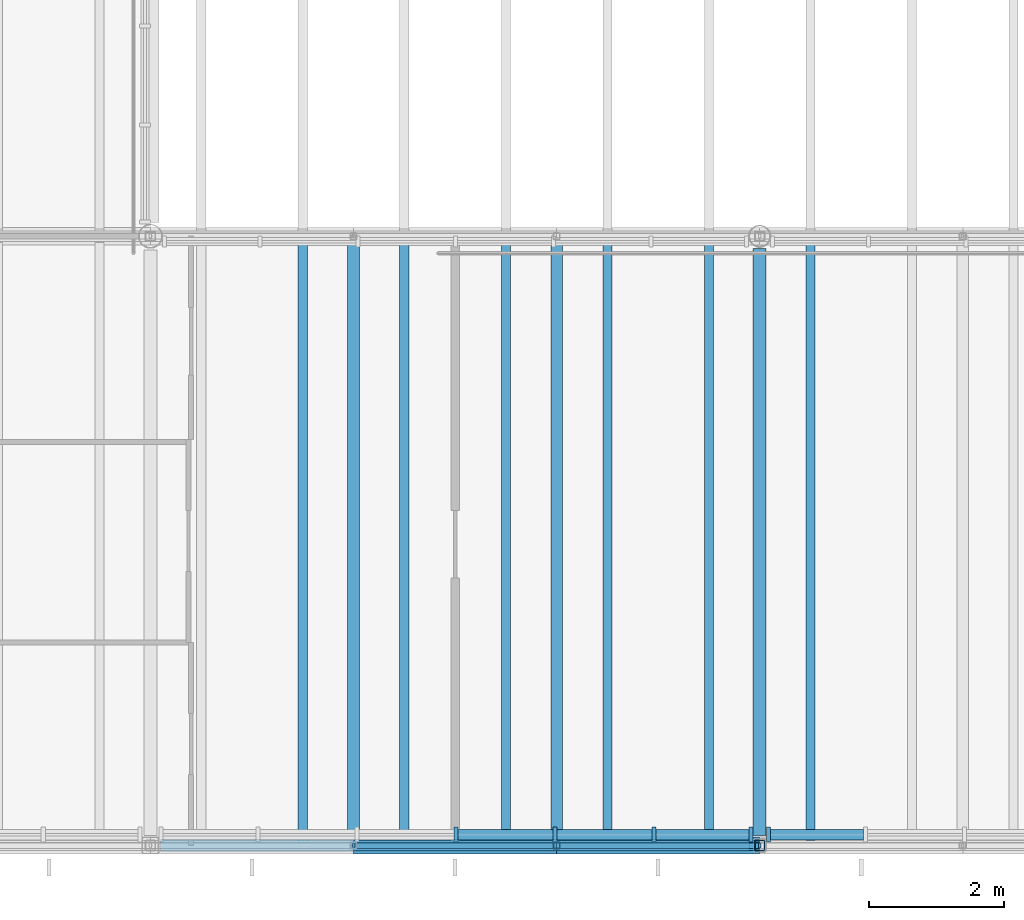
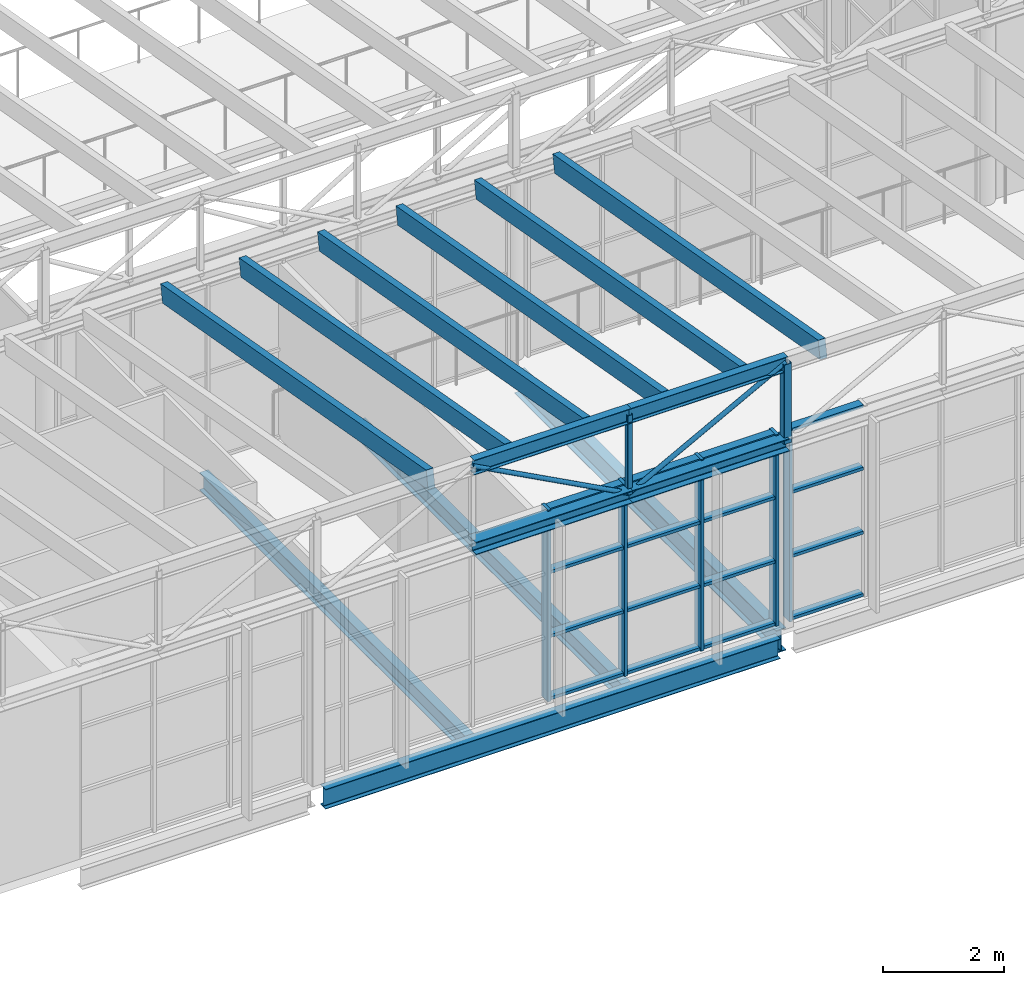
# One storey, part 7 of 44: 35 members, 4 beams, 2 elements without a shape of their own.
"""IFC4 building model written with IfcOpenShell, lengths in metres."""

from ifc_helpers import new_model, si_unit, direction, frame, origin, origin_2d, place, context, subcontext, project, spatial, rectangle, hollow_rectangle, hollow_circle, i_section, extrude, material, layer, layer_set, material_profile, profile_set, type_object, element, aggregate, save


model = new_model("IFC4")

# Units and contexts
model_context = context("Model", 3, precision=1e-05, world=origin(), true_north=direction((0.0, 1.0)))
body_context = subcontext(model_context, "Body", "Model", "MODEL_VIEW")
ifc_project = project(units=[si_unit("LENGTHUNIT", "METRE"), si_unit("AREAUNIT", "SQUARE_METRE"), si_unit("VOLUMEUNIT", "CUBIC_METRE"), si_unit("PLANEANGLEUNIT", "RADIAN"), si_unit("MASSUNIT", "GRAM", prefix="KILO")], contexts=[model_context])

# Site, building, storey
site_placement = place(None, origin())
site = spatial("IfcSite", under=ifc_project, at=site_placement, CompositionType="ELEMENT")
building_placement = place(site_placement, origin())
building = spatial("IfcBuilding", under=site, at=building_placement, Name="Halyard Row Museum", CompositionType="ELEMENT")
storey_placement = place(building_placement, frame((0.0, 0.0, 21.199951171875)))
storey = spatial("IfcBuildingStorey", under=building, at=storey_placement, Name="L04", CompositionType="ELEMENT", Elevation=21.199951171875)

# Curtain wall, members
ifc_material_1 = material(Name="Double glazed unit, low-emissivity", Category="glass")
ifc_layer = layer(ifc_material_1, 0.219970703125)
ifc_layer_set = layer_set([ifc_layer], Name="Double glazed unit, low-emissivity")
curtain_wall_type = type_object("IfcCurtainWallType", Name="Curtain wall unitised 220 deep", PredefinedType="NOTDEFINED", material=ifc_layer_set)
curtain_wall_1_placement = place(storey_placement, origin())
curtain_wall_1 = element("IfcCurtainWall", 1, at=curtain_wall_1_placement, inside=storey, type_object=curtain_wall_type, Name="Curtain wall CW056", PredefinedType="NOTDEFINED")
ifc_material_2 = material(Name="Powder-coated aluminium section", Category="aluminium")
ifc_material_profile_1 = material_profile(ifc_material_2, rectangle(XDim=0.219970703125, YDim=0.06005859375, at=origin_2d()), Name="220x60 mullion")
ifc_profile_set_1 = profile_set([ifc_material_profile_1], Name="Powder-coated aluminium section")
member_type_1 = type_object("IfcMemberType", Name="Curtain wall mullion CM3 60 x 220", PredefinedType="MULLION", material=ifc_profile_set_1)
member_1_placement = place(storey_placement, frame((85.512451171875, 0.159912109375, 0.0), z_axis=(0.0, 0.0, 1.0), x_axis=(0.0, 1.0, 0.0)))
member_1 = element("IfcMember", 2, at=member_1_placement, type_object=member_type_1, Name="CW056 mullion 4", PredefinedType="MULLION", context=body_context, shape_type="SweptSolid", body=[
    extrude(rectangle(XDim=0.219970703125, YDim=0.06005859375, at=origin_2d()), origin(), (0.0, 0.0, 1.0), 3.878173828125),
])
member_2_placement = place(storey_placement, frame((86.97509765625, 0.159912109375, 0.0), z_axis=(0.0, 0.0, 1.0), x_axis=(0.0, 1.0, 0.0)))
member_2 = element("IfcMember", 3, at=member_2_placement, type_object=member_type_1, Name="CW056 mullion 5", PredefinedType="MULLION", context=body_context, shape_type="SweptSolid", body=[
    extrude(rectangle(XDim=0.219970703125, YDim=0.06005859375, at=origin_2d()), origin(), (0.0, 0.0, 1.0), 3.878173828125),
])
member_3_placement = place(storey_placement, frame((88.4375, 0.159912109375, 0.0), z_axis=(0.0, 0.0, 1.0), x_axis=(0.0, 1.0, 0.0)))
member_3 = element("IfcMember", 4, at=member_3_placement, type_object=member_type_1, Name="CW056 mullion 6", PredefinedType="MULLION", context=body_context, shape_type="SweptSolid", body=[
    extrude(rectangle(XDim=0.219970703125, YDim=0.06005859375, at=origin_2d()), origin(), (0.0, 0.0, 1.0), 3.878173828125),
])
member_4_placement = place(storey_placement, frame((89.8701171875, 0.159912109375, 0.0), z_axis=(0.0, 0.0, 1.0), x_axis=(0.0, 1.0, 0.0)))
member_4 = element("IfcMember", 5, at=member_4_placement, type_object=member_type_1, Name="CW056 mullion 7", PredefinedType="MULLION", context=body_context, shape_type="SweptSolid", body=[
    extrude(rectangle(XDim=0.219970703125, YDim=0.06005859375, at=origin_2d()), origin(), (0.0, 0.0, 1.0), 3.878173828125),
])

# Curtain wall, member
curtain_wall_2_placement = place(storey_placement, origin())
curtain_wall_2 = element("IfcCurtainWall", 6, at=curtain_wall_2_placement, inside=storey, type_object=curtain_wall_type, Name="Curtain wall CW057", PredefinedType="NOTDEFINED")
member_5_placement = place(storey_placement, frame((90.1298828125, 0.159912109375, 0.0), z_axis=(0.0, 0.0, 1.0), x_axis=(0.0, 1.0, 0.0)))
member_5 = element("IfcMember", 7, at=member_5_placement, type_object=member_type_1, Name="CW057 mullion 1", PredefinedType="MULLION", context=body_context, shape_type="SweptSolid", body=[
    extrude(rectangle(XDim=0.219970703125, YDim=0.06005859375, at=origin_2d()), origin(), (0.0, 0.0, 1.0), 3.878173828125),
])

# Member
ifc_material_3 = material(Name="Powder-coated aluminium section", Category="aluminium")
ifc_material_profile_2 = material_profile(ifc_material_3, rectangle(XDim=0.159912109375, YDim=0.06005859375, at=origin_2d()), Name="160x60 transom")
ifc_profile_set_2 = profile_set([ifc_material_profile_2], Name="Powder-coated aluminium section")
member_type_2 = type_object("IfcMemberType", Name="Curtain wall transom CT3 60 x 160", PredefinedType="USERDEFINED", material=ifc_profile_set_2)
member_6_placement = place(storey_placement, frame((85.54248046875, 0.159912109375, 0.030029296875), z_axis=(1.0, 0.0, 0.0), x_axis=(0.0, 1.0, 0.0)))
member_6 = element("IfcMember", 8, at=member_6_placement, type_object=member_type_2, Name="CW056 transom 4.1", ObjectType="TRANSOM", PredefinedType="USERDEFINED", context=body_context, shape_type="SweptSolid", body=[
    extrude(rectangle(XDim=0.159912109375, YDim=0.06005859375, at=origin_2d()), origin(), (0.0, 0.0, 1.0), 1.402587890625),
])

member_7_placement = place(storey_placement, frame((85.54248046875, 0.159912109375, 1.292724609375), z_axis=(1.0, 0.0, 0.0), x_axis=(0.0, 1.0, 0.0)))
member_7 = element("IfcMember", 9, at=member_7_placement, type_object=member_type_2, Name="CW056 transom 4.2", ObjectType="TRANSOM", PredefinedType="USERDEFINED", context=body_context, shape_type="SweptSolid", body=[
    extrude(rectangle(XDim=0.159912109375, YDim=0.06005859375, at=origin_2d()), origin(), (0.0, 0.0, 1.0), 1.402587890625),
])

member_8_placement = place(storey_placement, frame((85.54248046875, 0.159912109375, 2.58544921875), z_axis=(1.0, 0.0, 0.0), x_axis=(0.0, 1.0, 0.0)))
member_8 = element("IfcMember", 10, at=member_8_placement, type_object=member_type_2, Name="CW056 transom 4.3", ObjectType="TRANSOM", PredefinedType="USERDEFINED", context=body_context, shape_type="SweptSolid", body=[
    extrude(rectangle(XDim=0.159912109375, YDim=0.06005859375, at=origin_2d()), origin(), (0.0, 0.0, 1.0), 1.402587890625),
])

member_9_placement = place(storey_placement, frame((85.54248046875, 0.159912109375, 3.84814453125), z_axis=(1.0, 0.0, 0.0), x_axis=(0.0, 1.0, 0.0)))
member_9 = element("IfcMember", 11, at=member_9_placement, type_object=member_type_2, Name="CW056 transom 4.4", ObjectType="TRANSOM", PredefinedType="USERDEFINED", context=body_context, shape_type="SweptSolid", body=[
    extrude(rectangle(XDim=0.159912109375, YDim=0.06005859375, at=origin_2d()), origin(), (0.0, 0.0, 1.0), 1.402587890625),
])

member_10_placement = place(storey_placement, frame((87.0048828125, 0.159912109375, 0.030029296875), z_axis=(1.0, 0.0, 0.0), x_axis=(0.0, 1.0, 0.0)))
member_10 = element("IfcMember", 12, at=member_10_placement, type_object=member_type_2, Name="CW056 transom 5.1", ObjectType="TRANSOM", PredefinedType="USERDEFINED", context=body_context, shape_type="SweptSolid", body=[
    extrude(rectangle(XDim=0.159912109375, YDim=0.06005859375, at=origin_2d()), origin(), (0.0, 0.0, 1.0), 1.402587890625),
])

member_11_placement = place(storey_placement, frame((87.0048828125, 0.159912109375, 1.292724609375), z_axis=(1.0, 0.0, 0.0), x_axis=(0.0, 1.0, 0.0)))
member_11 = element("IfcMember", 13, at=member_11_placement, type_object=member_type_2, Name="CW056 transom 5.2", ObjectType="TRANSOM", PredefinedType="USERDEFINED", context=body_context, shape_type="SweptSolid", body=[
    extrude(rectangle(XDim=0.159912109375, YDim=0.06005859375, at=origin_2d()), origin(), (0.0, 0.0, 1.0), 1.402587890625),
])

member_12_placement = place(storey_placement, frame((87.0048828125, 0.159912109375, 2.58544921875), z_axis=(1.0, 0.0, 0.0), x_axis=(0.0, 1.0, 0.0)))
member_12 = element("IfcMember", 14, at=member_12_placement, type_object=member_type_2, Name="CW056 transom 5.3", ObjectType="TRANSOM", PredefinedType="USERDEFINED", context=body_context, shape_type="SweptSolid", body=[
    extrude(rectangle(XDim=0.159912109375, YDim=0.06005859375, at=origin_2d()), origin(), (0.0, 0.0, 1.0), 1.402587890625),
])

member_13_placement = place(storey_placement, frame((87.0048828125, 0.159912109375, 3.84814453125), z_axis=(1.0, 0.0, 0.0), x_axis=(0.0, 1.0, 0.0)))
member_13 = element("IfcMember", 15, at=member_13_placement, type_object=member_type_2, Name="CW056 transom 5.4", ObjectType="TRANSOM", PredefinedType="USERDEFINED", context=body_context, shape_type="SweptSolid", body=[
    extrude(rectangle(XDim=0.159912109375, YDim=0.06005859375, at=origin_2d()), origin(), (0.0, 0.0, 1.0), 1.402587890625),
])

member_14_placement = place(storey_placement, frame((88.467529296875, 0.159912109375, 0.030029296875), z_axis=(1.0, 0.0, 0.0), x_axis=(0.0, 1.0, 0.0)))
member_14 = element("IfcMember", 16, at=member_14_placement, type_object=member_type_2, Name="CW056 transom 6.1", ObjectType="TRANSOM", PredefinedType="USERDEFINED", context=body_context, shape_type="SweptSolid", body=[
    extrude(rectangle(XDim=0.159912109375, YDim=0.06005859375, at=origin_2d()), origin(), (0.0, 0.0, 1.0), 1.37255859375),
])

member_15_placement = place(storey_placement, frame((88.467529296875, 0.159912109375, 1.292724609375), z_axis=(1.0, 0.0, 0.0), x_axis=(0.0, 1.0, 0.0)))
member_15 = element("IfcMember", 17, at=member_15_placement, type_object=member_type_2, Name="CW056 transom 6.2", ObjectType="TRANSOM", PredefinedType="USERDEFINED", context=body_context, shape_type="SweptSolid", body=[
    extrude(rectangle(XDim=0.159912109375, YDim=0.06005859375, at=origin_2d()), origin(), (0.0, 0.0, 1.0), 1.37255859375),
])

member_16_placement = place(storey_placement, frame((88.467529296875, 0.159912109375, 2.58544921875), z_axis=(1.0, 0.0, 0.0), x_axis=(0.0, 1.0, 0.0)))
member_16 = element("IfcMember", 18, at=member_16_placement, type_object=member_type_2, Name="CW056 transom 6.3", ObjectType="TRANSOM", PredefinedType="USERDEFINED", context=body_context, shape_type="SweptSolid", body=[
    extrude(rectangle(XDim=0.159912109375, YDim=0.06005859375, at=origin_2d()), origin(), (0.0, 0.0, 1.0), 1.37255859375),
])

member_17_placement = place(storey_placement, frame((88.467529296875, 0.159912109375, 3.84814453125), z_axis=(1.0, 0.0, 0.0), x_axis=(0.0, 1.0, 0.0)))
member_17 = element("IfcMember", 19, at=member_17_placement, type_object=member_type_2, Name="CW056 transom 6.4", ObjectType="TRANSOM", PredefinedType="USERDEFINED", context=body_context, shape_type="SweptSolid", body=[
    extrude(rectangle(XDim=0.159912109375, YDim=0.06005859375, at=origin_2d()), origin(), (0.0, 0.0, 1.0), 1.37255859375),
])

aggregate(curtain_wall_1, [member_1, member_2, member_3, member_4, member_6, member_7, member_8, member_9, member_10, member_11, member_12, member_13, member_14, member_15, member_16, member_17])

member_18_placement = place(storey_placement, frame((90.159912109375, 0.159912109375, 0.030029296875), z_axis=(1.0, 0.0, 0.0), x_axis=(0.0, 1.0, 0.0)))
member_18 = element("IfcMember", 20, at=member_18_placement, type_object=member_type_2, Name="CW057 transom 1.1", ObjectType="TRANSOM", PredefinedType="USERDEFINED", context=body_context, shape_type="SweptSolid", body=[
    extrude(rectangle(XDim=0.159912109375, YDim=0.06005859375, at=origin_2d()), origin(), (0.0, 0.0, 1.0), 1.37255859375),
])

member_19_placement = place(storey_placement, frame((90.159912109375, 0.159912109375, 1.292724609375), z_axis=(1.0, 0.0, 0.0), x_axis=(0.0, 1.0, 0.0)))
member_19 = element("IfcMember", 21, at=member_19_placement, type_object=member_type_2, Name="CW057 transom 1.2", ObjectType="TRANSOM", PredefinedType="USERDEFINED", context=body_context, shape_type="SweptSolid", body=[
    extrude(rectangle(XDim=0.159912109375, YDim=0.06005859375, at=origin_2d()), origin(), (0.0, 0.0, 1.0), 1.37255859375),
])

member_20_placement = place(storey_placement, frame((90.159912109375, 0.159912109375, 2.58544921875), z_axis=(1.0, 0.0, 0.0), x_axis=(0.0, 1.0, 0.0)))
member_20 = element("IfcMember", 22, at=member_20_placement, type_object=member_type_2, Name="CW057 transom 1.3", ObjectType="TRANSOM", PredefinedType="USERDEFINED", context=body_context, shape_type="SweptSolid", body=[
    extrude(rectangle(XDim=0.159912109375, YDim=0.06005859375, at=origin_2d()), origin(), (0.0, 0.0, 1.0), 1.37255859375),
])

member_21_placement = place(storey_placement, frame((90.159912109375, 0.159912109375, 3.84814453125), z_axis=(1.0, 0.0, 0.0), x_axis=(0.0, 1.0, 0.0)))
member_21 = element("IfcMember", 23, at=member_21_placement, type_object=member_type_2, Name="CW057 transom 1.4", ObjectType="TRANSOM", PredefinedType="USERDEFINED", context=body_context, shape_type="SweptSolid", body=[
    extrude(rectangle(XDim=0.159912109375, YDim=0.06005859375, at=origin_2d()), origin(), (0.0, 0.0, 1.0), 1.37255859375),
])

aggregate(curtain_wall_2, [member_5, member_18, member_19, member_20, member_21])

# Beams
ifc_material_4 = material(Name="Steel Grade 300", Category="steel")
ifc_material_profile_3 = material_profile(ifc_material_4, i_section(OverallWidth=0.177978515625, OverallDepth=0.402587890625, WebThickness=0.007568359375, FlangeThickness=0.010986328125, FilletRadius=0.011474609375, at=origin_2d()), Name="410UB53.7")
ifc_profile_set_3 = profile_set([ifc_material_profile_3], Name="Steel Grade 300")
beam_type_1 = type_object("IfcBeamType", Name="Edge beam 410UB53.7", PredefinedType="BEAM", material=ifc_profile_set_3)
beam_1_placement = place(storey_placement, frame((81.14990234375, 0.0, -0.3662109375), z_axis=(1.0, 0.0, 0.0), x_axis=(0.0, 1.0, 0.0)))
element("IfcBeam", 24, at=beam_1_placement, inside=storey, type_object=beam_type_1, Name="Beam L04-002", PredefinedType="BEAM", context=body_context, shape_type="SweptSolid", body=[
    extrude(i_section(OverallWidth=0.177978515625, OverallDepth=0.402587890625, WebThickness=0.007568359375, FlangeThickness=0.010986328125, FilletRadius=0.011474609375, at=origin_2d()), origin(), (0.0, 0.0, 1.0), 8.7001953125),
])
ifc_material_5 = material(Name="Steel Grade 300", Category="steel")
ifc_material_profile_4 = material_profile(ifc_material_5, i_section(OverallWidth=0.19091796875, OverallDepth=0.46044921875, WebThickness=0.010009765625, FlangeThickness=0.01611328125, FilletRadius=0.011474609375, at=origin_2d()), Name="460UB82.1")
ifc_profile_set_4 = profile_set([ifc_material_profile_4], Name="Steel Grade 300")
beam_type_2 = type_object("IfcBeamType", Name="Girder beam 460UB82.1", PredefinedType="BEAM", material=ifc_profile_set_4)
beam_2_placement = place(storey_placement, frame((90.0, 0.14990234375, -0.395263671875), z_axis=(0.0, 1.0, 0.0), x_axis=(-1.0, 0.0, 0.0)))
element("IfcBeam", 25, at=beam_2_placement, inside=storey, type_object=beam_type_2, Name="Beam L04-025", PredefinedType="BEAM", context=body_context, shape_type="SweptSolid", body=[
    extrude(i_section(OverallWidth=0.19091796875, OverallDepth=0.46044921875, WebThickness=0.010009765625, FlangeThickness=0.01611328125, FilletRadius=0.011474609375, at=origin_2d()), origin(), (0.0, 0.0, 1.0), 8.67236328125),
])

# Members
ifc_material_6 = material(Name="Glulam GL12 radiata pine", Category="wood")
ifc_material_profile_5 = material_profile(ifc_material_6, rectangle(XDim=0.135009765625, YDim=0.360107421875, at=origin_2d()), Name="GL12 135x360")
ifc_profile_set_5 = profile_set([ifc_material_profile_5], Name="Glulam GL12 radiata pine")
member_type_3 = type_object("IfcMemberType", Name="Rafter GL12 135x360", PredefinedType="RAFTER", material=ifc_profile_set_5)
for number, where, z_axis, x_axis, name in (
    (26, (83.25, 0.074462890625, 5.283935546875), (0.0, 0.984562193919, -0.175035100209), (-1.0, 0.0, 0.0), "Rafter V2-T1a.8"),
    (27, (84.75, 0.074462890625, 5.283935546875), (0.0, 0.984562193919, -0.175035100209), (-1.0, 0.0, 0.0), "Rafter V2-T1a.9"),
    (28, (86.25, 0.074462890625, 5.283935546875), (0.0, 0.984562193919, -0.175035100209), (-1.0, 0.0, 0.0), "Rafter V2-T1a.10"),
    (29, (87.75, 0.074462890625, 5.283935546875), (0.0, 0.984562193919, -0.175035100209), (-1.0, 0.0, 0.0), "Rafter V2-T1a.11"),
    (30, (89.25, 0.074462890625, 5.283935546875), (0.0, 0.984562193919, -0.175035100209), (-1.0, 0.0, 0.0), "Rafter V2-T1a.12"),
    (31, (90.75, 0.074462890625, 5.283935546875), (0.0, 0.984562193919, -0.175035100209), (-1.0, 0.0, 0.0), "Rafter V2-T1a.13"),
):
    element("IfcMember", number, at=place(storey_placement, frame(where, z_axis=z_axis, x_axis=x_axis)), inside=storey, type_object=member_type_3, Name=name, PredefinedType="RAFTER", context=body_context, shape_type="SweptSolid", body=[
        extrude(rectangle(XDim=0.135009765625, YDim=0.360107421875, at=origin_2d()), origin(), (0.0, 0.0, 1.0), 8.9365234375),
    ])

# Beams
ifc_material_7 = material(Name="Steel Grade 300", Category="steel")
ifc_material_profile_6 = material_profile(ifc_material_7, i_section(OverallWidth=0.1708984375, OverallDepth=0.355712890625, WebThickness=0.00732421875, FlangeThickness=0.011474609375, FilletRadius=0.011474609375, at=origin_2d()), Name="360UB50.7")
ifc_profile_set_6 = profile_set([ifc_material_profile_6], Name="Steel Grade 300")
beam_type_3 = type_object("IfcBeamType", Name="Secondary beam 360UB50.7", PredefinedType="BEAM", material=ifc_profile_set_6)
for number, where, z_axis, x_axis, name in (
    (32, (84.0, 0.089111328125, -0.3427734375), (0.0, 1.0, 0.0), (-1.0, 0.0, 0.0), "Beam L04-034"),
    (33, (87.0, 0.089111328125, -0.3427734375), (0.0, 1.0, 0.0), (-1.0, 0.0, 0.0), "Beam L04-035"),
):
    element("IfcBeam", number, at=place(storey_placement, frame(where, z_axis=z_axis, x_axis=x_axis)), inside=storey, type_object=beam_type_3, Name=name, PredefinedType="BEAM", context=body_context, shape_type="SweptSolid", body=[
        extrude(i_section(OverallWidth=0.1708984375, OverallDepth=0.355712890625, WebThickness=0.00732421875, FlangeThickness=0.011474609375, FilletRadius=0.011474609375, at=origin_2d()), origin(), (0.0, 0.0, 1.0), 8.796875),
    ])

# Members
ifc_material_8 = material(Name="Steel Grade 300", Category="steel")
ifc_material_profile_7 = material_profile(ifc_material_8, i_section(OverallWidth=0.25390625, OverallDepth=0.25390625, WebThickness=0.008544921875, FlangeThickness=0.01416015625, FilletRadius=0.013916015625, at=origin_2d()), Name="250UC72.9")
ifc_profile_set_7 = profile_set([ifc_material_profile_7], Name="Steel Grade 300")
member_type_4 = type_object("IfcMemberType", Name="Valley truss bottom chord 250UC72.9", PredefinedType="CHORD", material=ifc_profile_set_7)
for number, where, z_axis, x_axis, name in (
    (34, (84.0, 0.0, 3.72705078125), (1.0, 0.0, 0.0), (0.0, 1.0, 0.0), "V2-VT1 bottom chord 2.2"),
    (35, (87.0, 0.0, 3.72705078125), (1.0, 0.0, 0.0), (0.0, 1.0, 0.0), "V2-VT1 bottom chord 2.3"),
):
    element("IfcMember", number, at=place(storey_placement, frame(where, z_axis=z_axis, x_axis=x_axis)), inside=storey, type_object=member_type_4, Name=name, PredefinedType="CHORD", context=body_context, shape_type="SweptSolid", body=[
        extrude(i_section(OverallWidth=0.25390625, OverallDepth=0.25390625, WebThickness=0.008544921875, FlangeThickness=0.01416015625, FilletRadius=0.013916015625, at=origin_2d()), origin(), (0.0, 0.0, 1.0), 3.0),
    ])
ifc_material_9 = material(Name="Steel Grade C250L0", Category="steel")
ifc_material_profile_8 = material_profile(ifc_material_9, hollow_circle(Radius=0.04443359375, WallThickness=0.0048828125, at=origin_2d()), Name="88.9x5.0CHS")
ifc_profile_set_8 = profile_set([ifc_material_profile_8], Name="Steel Grade C250L0")
member_type_5 = type_object("IfcMemberType", Name="Valley truss diagonal 88.9x5.0CHS", PredefinedType="BRACE", material=ifc_profile_set_8)
for number, where, z_axis, x_axis, name in (
    (36, (84.0, 0.0, 5.3310546875), (0.881863759518, 0.0, -0.471504305016), (0.0, 1.0, 0.0), "V2-VT1 diagonal 2.2"),
    (37, (87.0, 0.0, 3.72705078125), (0.881863759518, 0.0, 0.471504305016), (0.0, 1.0, 0.0), "V2-VT1 diagonal 2.3"),
):
    element("IfcMember", number, at=place(storey_placement, frame(where, z_axis=z_axis, x_axis=x_axis)), inside=storey, type_object=member_type_5, Name=name, PredefinedType="BRACE", context=body_context, shape_type="SweptSolid", body=[
        extrude(hollow_circle(Radius=0.04443359375, WallThickness=0.0048828125, at=origin_2d()), origin(), (0.0, 0.0, 1.0), 3.40185546875),
    ])
ifc_material_10 = material(Name="Steel Grade C350L0", Category="steel")
ifc_material_profile_9 = material_profile(ifc_material_10, hollow_rectangle(XDim=0.10009765625, YDim=0.10009765625, WallThickness=0.006103515625, InnerFilletRadius=0.009033203125, OuterFilletRadius=0.014892578125, at=origin_2d()), Name="100x100x6.0SHS")
ifc_profile_set_9 = profile_set([ifc_material_profile_9], Name="Steel Grade C350L0")
member_type_6 = type_object("IfcMemberType", Name="Valley truss post 100x100x6.0SHS", PredefinedType="POST", material=ifc_profile_set_9)
member_22_placement = place(storey_placement, frame((87.0, 0.0, 3.72705078125), z_axis=(0.0, 0.0, 1.0), x_axis=(1.0, 0.0, 0.0)))
element("IfcMember", 38, at=member_22_placement, inside=storey, type_object=member_type_6, Name="V2-VT1 post 2.2", PredefinedType="POST", context=body_context, shape_type="SweptSolid", body=[
    extrude(hollow_rectangle(XDim=0.10009765625, YDim=0.10009765625, WallThickness=0.006103515625, InnerFilletRadius=0.009033203125, OuterFilletRadius=0.014892578125, at=origin_2d()), origin(), (0.0, 0.0, 1.0), 1.60400390625),
])
ifc_material_11 = material(Name="Steel Grade C350L0", Category="steel")
ifc_material_profile_10 = material_profile(ifc_material_11, hollow_rectangle(XDim=0.14990234375, YDim=0.14990234375, WallThickness=0.006103515625, InnerFilletRadius=0.009033203125, OuterFilletRadius=0.014892578125, at=origin_2d()), Name="150x150x6.0SHS")
ifc_profile_set_10 = profile_set([ifc_material_profile_10], Name="Steel Grade C350L0")
member_type_7 = type_object("IfcMemberType", Name="Valley truss post 150x150x6.0SHS", PredefinedType="POST", material=ifc_profile_set_10)
member_23_placement = place(storey_placement, frame((90.0, 0.0, 3.72705078125), z_axis=(0.0, 0.0, 1.0), x_axis=(1.0, 0.0, 0.0)))
element("IfcMember", 39, at=member_23_placement, inside=storey, type_object=member_type_7, Name="V2-VT1 post 2.3", PredefinedType="POST", context=body_context, shape_type="SweptSolid", body=[
    extrude(hollow_rectangle(XDim=0.14990234375, YDim=0.14990234375, WallThickness=0.006103515625, InnerFilletRadius=0.009033203125, OuterFilletRadius=0.014892578125, at=origin_2d()), origin(), (0.0, 0.0, 1.0), 1.60400390625),
])
ifc_material_12 = material(Name="Steel Grade 300", Category="steel")
ifc_material_profile_11 = material_profile(ifc_material_12, i_section(OverallWidth=0.14892578125, OverallDepth=0.298095703125, WebThickness=0.005615234375, FlangeThickness=0.008056640625, FilletRadius=0.012939453125, at=origin_2d()), Name="310UB32.0")
ifc_profile_set_11 = profile_set([ifc_material_profile_11], Name="Steel Grade 300")
member_type_8 = type_object("IfcMemberType", Name="Valley truss top chord 310UB32.0", PredefinedType="CHORD", material=ifc_profile_set_11)
for number, where, z_axis, x_axis, name in (
    (40, (84.0, 0.0, 5.3310546875), (1.0, 0.0, 0.0), (0.0, 1.0, 0.0), "V2-VT1 top chord 2.2"),
    (41, (87.0, 0.0, 5.3310546875), (1.0, 0.0, 0.0), (0.0, 1.0, 0.0), "V2-VT1 top chord 2.3"),
):
    element("IfcMember", number, at=place(storey_placement, frame(where, z_axis=z_axis, x_axis=x_axis)), inside=storey, type_object=member_type_8, Name=name, PredefinedType="CHORD", context=body_context, shape_type="SweptSolid", body=[
        extrude(i_section(OverallWidth=0.14892578125, OverallDepth=0.298095703125, WebThickness=0.005615234375, FlangeThickness=0.008056640625, FilletRadius=0.012939453125, at=origin_2d()), origin(), (0.0, 0.0, 1.0), 3.0),
    ])

save(model, "model.ifc")
